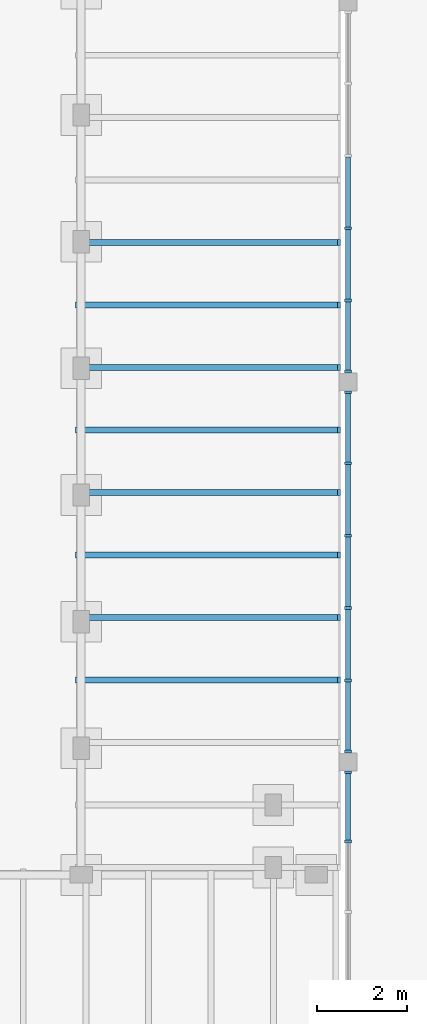
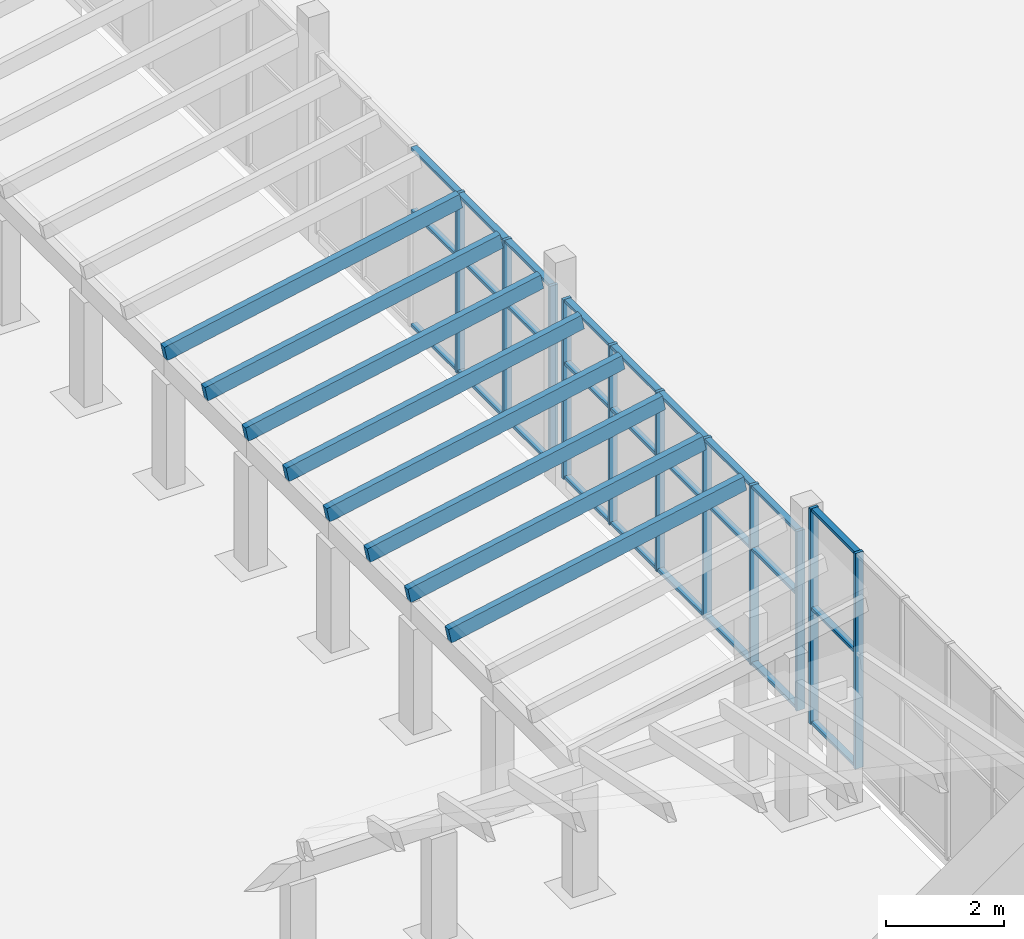
# One storey, part 14 of 60: 46 members, 3 elements without a shape of their own.
"""IFC4 building model written with IfcOpenShell, lengths in metres."""

from ifc_helpers import new_model, si_unit, direction, frame, origin, origin_2d, place, context, subcontext, project, spatial, rectangle, extrude, material, material_profile, profile_set, type_object, element, aggregate, save


model = new_model("IFC4")

# Units and contexts
model_context = context("Model", 3, precision=1e-05, world=origin(), true_north=direction((0.0, 1.0)))
body_context = subcontext(model_context, "Body", "Model", "MODEL_VIEW")
ifc_project = project(units=[si_unit("LENGTHUNIT", "METRE"), si_unit("AREAUNIT", "SQUARE_METRE"), si_unit("VOLUMEUNIT", "CUBIC_METRE"), si_unit("PLANEANGLEUNIT", "RADIAN"), si_unit("MASSUNIT", "GRAM", prefix="KILO")], contexts=[model_context])

# Site, building, storey
site_placement = place(None, origin())
site = spatial("IfcSite", under=ifc_project, at=site_placement, CompositionType="ELEMENT")
building_placement = place(site_placement, origin())
building = spatial("IfcBuilding", under=site, at=building_placement, Name="Fescue Hill Polytechnic", CompositionType="ELEMENT")
storey_placement = place(building_placement, frame((0.0, 0.0, 4.5)))
storey = spatial("IfcBuildingStorey", under=building, at=storey_placement, Name="L01", CompositionType="ELEMENT", Elevation=4.5)

# Curtain wall, members
ifc_material_1 = material(Name="Glass", Category="glass")
curtain_wall_type = type_object("IfcCurtainWallType", Name="Curtain wall structural glazing", PredefinedType="NOTDEFINED", material=ifc_material_1)
curtain_wall_1_placement = place(storey_placement, origin())
curtain_wall_1 = element("IfcCurtainWall", 1, at=curtain_wall_1_placement, inside=storey, type_object=curtain_wall_type, Name="CW-L01-V6-5", PredefinedType="NOTDEFINED")
ifc_material_2 = material(Name="Powder-coated aluminium", Category="aluminium")
ifc_material_profile_1 = material_profile(ifc_material_2, rectangle(XDim=0.159912109375, YDim=0.06005859375, at=origin_2d()), Name="Mullion aluminium 60x160")
ifc_profile_set_1 = profile_set([ifc_material_profile_1], Name="Powder-coated aluminium")
member_type_1 = type_object("IfcMemberType", Name="Mullion aluminium 60x160", PredefinedType="MULLION", material=ifc_profile_set_1)
member_1_placement = place(storey_placement, frame((92.39990234375, 70.60009765625, 0.0), z_axis=(0.0, 0.0, 1.0), x_axis=(1.0, 0.0, 0.0)))
member_1 = element("IfcMember", 2, at=member_1_placement, type_object=member_type_1, Name="CW51 mullion 4", PredefinedType="MULLION", context=body_context, shape_type="SweptSolid", body=[
    extrude(rectangle(XDim=0.159912109375, YDim=0.06005859375, at=origin_2d()), origin(), (0.0, 0.0, 1.0), 3.72998046875),
])
member_2_placement = place(storey_placement, frame((92.39990234375, 69.0, 0.0), z_axis=(0.0, 0.0, 1.0), x_axis=(1.0, 0.0, 0.0)))
member_2 = element("IfcMember", 3, at=member_2_placement, type_object=member_type_1, Name="CW51 mullion 5", PredefinedType="MULLION", context=body_context, shape_type="SweptSolid", body=[
    extrude(rectangle(XDim=0.159912109375, YDim=0.06005859375, at=origin_2d()), origin(), (0.0, 0.0, 1.0), 3.72998046875),
])
member_3_placement = place(storey_placement, frame((92.39990234375, 67.429931640625, 0.0), z_axis=(0.0, 0.0, 1.0), x_axis=(1.0, 0.0, 0.0)))
member_3 = element("IfcMember", 4, at=member_3_placement, type_object=member_type_1, Name="CW51 mullion 6", PredefinedType="MULLION", context=body_context, shape_type="SweptSolid", body=[
    extrude(rectangle(XDim=0.159912109375, YDim=0.06005859375, at=origin_2d()), origin(), (0.0, 0.0, 1.0), 3.72998046875),
])

curtain_wall_2_placement = place(storey_placement, origin())
curtain_wall_2 = element("IfcCurtainWall", 5, at=curtain_wall_2_placement, inside=storey, type_object=curtain_wall_type, Name="CW-L01-V6-6", PredefinedType="NOTDEFINED")
member_4_placement = place(storey_placement, frame((92.39990234375, 66.969970703125, 0.0), z_axis=(0.0, 0.0, 1.0), x_axis=(1.0, 0.0, 0.0)))
member_4 = element("IfcMember", 6, at=member_4_placement, type_object=member_type_1, Name="CW52 mullion 1", PredefinedType="MULLION", context=body_context, shape_type="SweptSolid", body=[
    extrude(rectangle(XDim=0.159912109375, YDim=0.06005859375, at=origin_2d()), origin(), (0.0, 0.0, 1.0), 3.72998046875),
])
member_5_placement = place(storey_placement, frame((92.39990234375, 65.39990234375, 0.0), z_axis=(0.0, 0.0, 1.0), x_axis=(1.0, 0.0, 0.0)))
member_5 = element("IfcMember", 7, at=member_5_placement, type_object=member_type_1, Name="CW52 mullion 2", PredefinedType="MULLION", context=body_context, shape_type="SweptSolid", body=[
    extrude(rectangle(XDim=0.159912109375, YDim=0.06005859375, at=origin_2d()), origin(), (0.0, 0.0, 1.0), 3.72998046875),
])
member_6_placement = place(storey_placement, frame((92.39990234375, 63.800048828125, 0.0), z_axis=(0.0, 0.0, 1.0), x_axis=(1.0, 0.0, 0.0)))
member_6 = element("IfcMember", 8, at=member_6_placement, type_object=member_type_1, Name="CW52 mullion 3", PredefinedType="MULLION", context=body_context, shape_type="SweptSolid", body=[
    extrude(rectangle(XDim=0.159912109375, YDim=0.06005859375, at=origin_2d()), origin(), (0.0, 0.0, 1.0), 3.72998046875),
])
member_7_placement = place(storey_placement, frame((92.39990234375, 62.199951171875, 0.0), z_axis=(0.0, 0.0, 1.0), x_axis=(1.0, 0.0, 0.0)))
member_7 = element("IfcMember", 9, at=member_7_placement, type_object=member_type_1, Name="CW52 mullion 4", PredefinedType="MULLION", context=body_context, shape_type="SweptSolid", body=[
    extrude(rectangle(XDim=0.159912109375, YDim=0.06005859375, at=origin_2d()), origin(), (0.0, 0.0, 1.0), 3.72998046875),
])
member_8_placement = place(storey_placement, frame((92.39990234375, 60.60009765625, 0.0), z_axis=(0.0, 0.0, 1.0), x_axis=(1.0, 0.0, 0.0)))
member_8 = element("IfcMember", 10, at=member_8_placement, type_object=member_type_1, Name="CW52 mullion 5", PredefinedType="MULLION", context=body_context, shape_type="SweptSolid", body=[
    extrude(rectangle(XDim=0.159912109375, YDim=0.06005859375, at=origin_2d()), origin(), (0.0, 0.0, 1.0), 3.72998046875),
])
member_9_placement = place(storey_placement, frame((92.39990234375, 59.030029296875, 0.0), z_axis=(0.0, 0.0, 1.0), x_axis=(1.0, 0.0, 0.0)))
member_9 = element("IfcMember", 11, at=member_9_placement, type_object=member_type_1, Name="CW52 mullion 6", PredefinedType="MULLION", context=body_context, shape_type="SweptSolid", body=[
    extrude(rectangle(XDim=0.159912109375, YDim=0.06005859375, at=origin_2d()), origin(), (0.0, 0.0, 1.0), 3.72998046875),
])

curtain_wall_3_placement = place(storey_placement, origin())
curtain_wall_3 = element("IfcCurtainWall", 12, at=curtain_wall_3_placement, inside=storey, type_object=curtain_wall_type, Name="CW-L01-V6-7", PredefinedType="NOTDEFINED")
member_10_placement = place(storey_placement, frame((92.39990234375, 58.570068359375, 0.0), z_axis=(0.0, 0.0, 1.0), x_axis=(1.0, 0.0, 0.0)))
member_10 = element("IfcMember", 13, at=member_10_placement, type_object=member_type_1, Name="CW53 mullion 1", PredefinedType="MULLION", context=body_context, shape_type="SweptSolid", body=[
    extrude(rectangle(XDim=0.159912109375, YDim=0.06005859375, at=origin_2d()), origin(), (0.0, 0.0, 1.0), 4.47998046875),
])
member_11_placement = place(storey_placement, frame((92.39990234375, 57.0400390625, 0.0), z_axis=(0.0, 0.0, 1.0), x_axis=(1.0, 0.0, 0.0)))
member_11 = element("IfcMember", 14, at=member_11_placement, type_object=member_type_1, Name="CW53 mullion 2", PredefinedType="MULLION", context=body_context, shape_type="SweptSolid", body=[
    extrude(rectangle(XDim=0.159912109375, YDim=0.06005859375, at=origin_2d()), origin(), (0.0, 0.0, 1.0), 4.47998046875),
])

# Member
ifc_material_profile_2 = material_profile(ifc_material_2, rectangle(XDim=0.1201171875, YDim=0.06005859375, at=origin_2d()), Name="Transom aluminium 60x120")
ifc_profile_set_2 = profile_set([ifc_material_profile_2], Name="Powder-coated aluminium")
member_type_2 = type_object("IfcMemberType", Name="Transom aluminium 60x120", PredefinedType="USERDEFINED", material=ifc_profile_set_2)
member_12_placement = place(storey_placement, frame((92.39990234375, 72.169921875, 0.030029296875), z_axis=(0.0, -1.0, 0.0), x_axis=(1.0, 0.0, 0.0)))
member_12 = element("IfcMember", 15, at=member_12_placement, type_object=member_type_2, Name="CW51 transom 3.1", ObjectType="TRANSOM", PredefinedType="USERDEFINED", context=body_context, shape_type="SweptSolid", body=[
    extrude(rectangle(XDim=0.1201171875, YDim=0.06005859375, at=origin_2d()), origin(), (0.0, 0.0, 1.0), 1.5400390625),
])

member_13_placement = place(storey_placement, frame((92.39990234375, 72.169921875, 2.39990234375), z_axis=(0.0, -1.0, 0.0), x_axis=(1.0, 0.0, 0.0)))
member_13 = element("IfcMember", 16, at=member_13_placement, type_object=member_type_2, Name="CW51 transom 3.2", ObjectType="TRANSOM", PredefinedType="USERDEFINED", context=body_context, shape_type="SweptSolid", body=[
    extrude(rectangle(XDim=0.1201171875, YDim=0.06005859375, at=origin_2d()), origin(), (0.0, 0.0, 1.0), 1.5400390625),
])

member_14_placement = place(storey_placement, frame((92.39990234375, 72.169921875, 3.699951171875), z_axis=(0.0, -1.0, 0.0), x_axis=(1.0, 0.0, 0.0)))
member_14 = element("IfcMember", 17, at=member_14_placement, type_object=member_type_2, Name="CW51 transom 3.3", ObjectType="TRANSOM", PredefinedType="USERDEFINED", context=body_context, shape_type="SweptSolid", body=[
    extrude(rectangle(XDim=0.1201171875, YDim=0.06005859375, at=origin_2d()), origin(), (0.0, 0.0, 1.0), 1.5400390625),
])

member_15_placement = place(storey_placement, frame((92.39990234375, 70.570068359375, 0.030029296875), z_axis=(0.0, -1.0, 0.0), x_axis=(1.0, 0.0, 0.0)))
member_15 = element("IfcMember", 18, at=member_15_placement, type_object=member_type_2, Name="CW51 transom 4.1", ObjectType="TRANSOM", PredefinedType="USERDEFINED", context=body_context, shape_type="SweptSolid", body=[
    extrude(rectangle(XDim=0.1201171875, YDim=0.06005859375, at=origin_2d()), origin(), (0.0, 0.0, 1.0), 1.5400390625),
])

member_16_placement = place(storey_placement, frame((92.39990234375, 70.570068359375, 2.39990234375), z_axis=(0.0, -1.0, 0.0), x_axis=(1.0, 0.0, 0.0)))
member_16 = element("IfcMember", 19, at=member_16_placement, type_object=member_type_2, Name="CW51 transom 4.2", ObjectType="TRANSOM", PredefinedType="USERDEFINED", context=body_context, shape_type="SweptSolid", body=[
    extrude(rectangle(XDim=0.1201171875, YDim=0.06005859375, at=origin_2d()), origin(), (0.0, 0.0, 1.0), 1.5400390625),
])

member_17_placement = place(storey_placement, frame((92.39990234375, 70.570068359375, 3.699951171875), z_axis=(0.0, -1.0, 0.0), x_axis=(1.0, 0.0, 0.0)))
member_17 = element("IfcMember", 20, at=member_17_placement, type_object=member_type_2, Name="CW51 transom 4.3", ObjectType="TRANSOM", PredefinedType="USERDEFINED", context=body_context, shape_type="SweptSolid", body=[
    extrude(rectangle(XDim=0.1201171875, YDim=0.06005859375, at=origin_2d()), origin(), (0.0, 0.0, 1.0), 1.5400390625),
])

member_18_placement = place(storey_placement, frame((92.39990234375, 68.969970703125, 0.030029296875), z_axis=(0.0, -1.0, 0.0), x_axis=(1.0, 0.0, 0.0)))
member_18 = element("IfcMember", 21, at=member_18_placement, type_object=member_type_2, Name="CW51 transom 5.1", ObjectType="TRANSOM", PredefinedType="USERDEFINED", context=body_context, shape_type="SweptSolid", body=[
    extrude(rectangle(XDim=0.1201171875, YDim=0.06005859375, at=origin_2d()), origin(), (0.0, 0.0, 1.0), 1.510009765625),
])

member_19_placement = place(storey_placement, frame((92.39990234375, 68.969970703125, 2.39990234375), z_axis=(0.0, -1.0, 0.0), x_axis=(1.0, 0.0, 0.0)))
member_19 = element("IfcMember", 22, at=member_19_placement, type_object=member_type_2, Name="CW51 transom 5.2", ObjectType="TRANSOM", PredefinedType="USERDEFINED", context=body_context, shape_type="SweptSolid", body=[
    extrude(rectangle(XDim=0.1201171875, YDim=0.06005859375, at=origin_2d()), origin(), (0.0, 0.0, 1.0), 1.510009765625),
])

member_20_placement = place(storey_placement, frame((92.39990234375, 68.969970703125, 3.699951171875), z_axis=(0.0, -1.0, 0.0), x_axis=(1.0, 0.0, 0.0)))
member_20 = element("IfcMember", 23, at=member_20_placement, type_object=member_type_2, Name="CW51 transom 5.3", ObjectType="TRANSOM", PredefinedType="USERDEFINED", context=body_context, shape_type="SweptSolid", body=[
    extrude(rectangle(XDim=0.1201171875, YDim=0.06005859375, at=origin_2d()), origin(), (0.0, 0.0, 1.0), 1.510009765625),
])

aggregate(curtain_wall_1, [member_1, member_2, member_3, member_12, member_13, member_14, member_15, member_16, member_17, member_18, member_19, member_20])

member_21_placement = place(storey_placement, frame((92.39990234375, 66.93994140625, 0.030029296875), z_axis=(0.0, -1.0, 0.0), x_axis=(1.0, 0.0, 0.0)))
member_21 = element("IfcMember", 24, at=member_21_placement, type_object=member_type_2, Name="CW52 transom 1.1", ObjectType="TRANSOM", PredefinedType="USERDEFINED", context=body_context, shape_type="SweptSolid", body=[
    extrude(rectangle(XDim=0.1201171875, YDim=0.06005859375, at=origin_2d()), origin(), (0.0, 0.0, 1.0), 1.510009765625),
])

member_22_placement = place(storey_placement, frame((92.39990234375, 66.93994140625, 2.39990234375), z_axis=(0.0, -1.0, 0.0), x_axis=(1.0, 0.0, 0.0)))
member_22 = element("IfcMember", 25, at=member_22_placement, type_object=member_type_2, Name="CW52 transom 1.2", ObjectType="TRANSOM", PredefinedType="USERDEFINED", context=body_context, shape_type="SweptSolid", body=[
    extrude(rectangle(XDim=0.1201171875, YDim=0.06005859375, at=origin_2d()), origin(), (0.0, 0.0, 1.0), 1.510009765625),
])

member_23_placement = place(storey_placement, frame((92.39990234375, 66.93994140625, 3.699951171875), z_axis=(0.0, -1.0, 0.0), x_axis=(1.0, 0.0, 0.0)))
member_23 = element("IfcMember", 26, at=member_23_placement, type_object=member_type_2, Name="CW52 transom 1.3", ObjectType="TRANSOM", PredefinedType="USERDEFINED", context=body_context, shape_type="SweptSolid", body=[
    extrude(rectangle(XDim=0.1201171875, YDim=0.06005859375, at=origin_2d()), origin(), (0.0, 0.0, 1.0), 1.510009765625),
])

member_24_placement = place(storey_placement, frame((92.39990234375, 65.3701171875, 0.030029296875), z_axis=(0.0, -1.0, 0.0), x_axis=(1.0, 0.0, 0.0)))
member_24 = element("IfcMember", 27, at=member_24_placement, type_object=member_type_2, Name="CW52 transom 2.1", ObjectType="TRANSOM", PredefinedType="USERDEFINED", context=body_context, shape_type="SweptSolid", body=[
    extrude(rectangle(XDim=0.1201171875, YDim=0.06005859375, at=origin_2d()), origin(), (0.0, 0.0, 1.0), 1.5400390625),
])

member_25_placement = place(storey_placement, frame((92.39990234375, 65.3701171875, 2.39990234375), z_axis=(0.0, -1.0, 0.0), x_axis=(1.0, 0.0, 0.0)))
member_25 = element("IfcMember", 28, at=member_25_placement, type_object=member_type_2, Name="CW52 transom 2.2", ObjectType="TRANSOM", PredefinedType="USERDEFINED", context=body_context, shape_type="SweptSolid", body=[
    extrude(rectangle(XDim=0.1201171875, YDim=0.06005859375, at=origin_2d()), origin(), (0.0, 0.0, 1.0), 1.5400390625),
])

member_26_placement = place(storey_placement, frame((92.39990234375, 65.3701171875, 3.699951171875), z_axis=(0.0, -1.0, 0.0), x_axis=(1.0, 0.0, 0.0)))
member_26 = element("IfcMember", 29, at=member_26_placement, type_object=member_type_2, Name="CW52 transom 2.3", ObjectType="TRANSOM", PredefinedType="USERDEFINED", context=body_context, shape_type="SweptSolid", body=[
    extrude(rectangle(XDim=0.1201171875, YDim=0.06005859375, at=origin_2d()), origin(), (0.0, 0.0, 1.0), 1.5400390625),
])

member_27_placement = place(storey_placement, frame((92.39990234375, 63.77001953125, 0.030029296875), z_axis=(0.0, -1.0, 0.0), x_axis=(1.0, 0.0, 0.0)))
member_27 = element("IfcMember", 30, at=member_27_placement, type_object=member_type_2, Name="CW52 transom 3.1", ObjectType="TRANSOM", PredefinedType="USERDEFINED", context=body_context, shape_type="SweptSolid", body=[
    extrude(rectangle(XDim=0.1201171875, YDim=0.06005859375, at=origin_2d()), origin(), (0.0, 0.0, 1.0), 1.5400390625),
])

member_28_placement = place(storey_placement, frame((92.39990234375, 63.77001953125, 2.39990234375), z_axis=(0.0, -1.0, 0.0), x_axis=(1.0, 0.0, 0.0)))
member_28 = element("IfcMember", 31, at=member_28_placement, type_object=member_type_2, Name="CW52 transom 3.2", ObjectType="TRANSOM", PredefinedType="USERDEFINED", context=body_context, shape_type="SweptSolid", body=[
    extrude(rectangle(XDim=0.1201171875, YDim=0.06005859375, at=origin_2d()), origin(), (0.0, 0.0, 1.0), 1.5400390625),
])

member_29_placement = place(storey_placement, frame((92.39990234375, 63.77001953125, 3.699951171875), z_axis=(0.0, -1.0, 0.0), x_axis=(1.0, 0.0, 0.0)))
member_29 = element("IfcMember", 32, at=member_29_placement, type_object=member_type_2, Name="CW52 transom 3.3", ObjectType="TRANSOM", PredefinedType="USERDEFINED", context=body_context, shape_type="SweptSolid", body=[
    extrude(rectangle(XDim=0.1201171875, YDim=0.06005859375, at=origin_2d()), origin(), (0.0, 0.0, 1.0), 1.5400390625),
])

member_30_placement = place(storey_placement, frame((92.39990234375, 62.169921875, 0.030029296875), z_axis=(0.0, -1.0, 0.0), x_axis=(1.0, 0.0, 0.0)))
member_30 = element("IfcMember", 33, at=member_30_placement, type_object=member_type_2, Name="CW52 transom 4.1", ObjectType="TRANSOM", PredefinedType="USERDEFINED", context=body_context, shape_type="SweptSolid", body=[
    extrude(rectangle(XDim=0.1201171875, YDim=0.06005859375, at=origin_2d()), origin(), (0.0, 0.0, 1.0), 1.5400390625),
])

member_31_placement = place(storey_placement, frame((92.39990234375, 62.169921875, 2.39990234375), z_axis=(0.0, -1.0, 0.0), x_axis=(1.0, 0.0, 0.0)))
member_31 = element("IfcMember", 34, at=member_31_placement, type_object=member_type_2, Name="CW52 transom 4.2", ObjectType="TRANSOM", PredefinedType="USERDEFINED", context=body_context, shape_type="SweptSolid", body=[
    extrude(rectangle(XDim=0.1201171875, YDim=0.06005859375, at=origin_2d()), origin(), (0.0, 0.0, 1.0), 1.5400390625),
])

member_32_placement = place(storey_placement, frame((92.39990234375, 62.169921875, 3.699951171875), z_axis=(0.0, -1.0, 0.0), x_axis=(1.0, 0.0, 0.0)))
member_32 = element("IfcMember", 35, at=member_32_placement, type_object=member_type_2, Name="CW52 transom 4.3", ObjectType="TRANSOM", PredefinedType="USERDEFINED", context=body_context, shape_type="SweptSolid", body=[
    extrude(rectangle(XDim=0.1201171875, YDim=0.06005859375, at=origin_2d()), origin(), (0.0, 0.0, 1.0), 1.5400390625),
])

member_33_placement = place(storey_placement, frame((92.39990234375, 60.570068359375, 0.030029296875), z_axis=(0.0, -1.0, 0.0), x_axis=(1.0, 0.0, 0.0)))
member_33 = element("IfcMember", 36, at=member_33_placement, type_object=member_type_2, Name="CW52 transom 5.1", ObjectType="TRANSOM", PredefinedType="USERDEFINED", context=body_context, shape_type="SweptSolid", body=[
    extrude(rectangle(XDim=0.1201171875, YDim=0.06005859375, at=origin_2d()), origin(), (0.0, 0.0, 1.0), 1.510009765625),
])

member_34_placement = place(storey_placement, frame((92.39990234375, 60.570068359375, 2.39990234375), z_axis=(0.0, -1.0, 0.0), x_axis=(1.0, 0.0, 0.0)))
member_34 = element("IfcMember", 37, at=member_34_placement, type_object=member_type_2, Name="CW52 transom 5.2", ObjectType="TRANSOM", PredefinedType="USERDEFINED", context=body_context, shape_type="SweptSolid", body=[
    extrude(rectangle(XDim=0.1201171875, YDim=0.06005859375, at=origin_2d()), origin(), (0.0, 0.0, 1.0), 1.510009765625),
])

member_35_placement = place(storey_placement, frame((92.39990234375, 60.570068359375, 3.699951171875), z_axis=(0.0, -1.0, 0.0), x_axis=(1.0, 0.0, 0.0)))
member_35 = element("IfcMember", 38, at=member_35_placement, type_object=member_type_2, Name="CW52 transom 5.3", ObjectType="TRANSOM", PredefinedType="USERDEFINED", context=body_context, shape_type="SweptSolid", body=[
    extrude(rectangle(XDim=0.1201171875, YDim=0.06005859375, at=origin_2d()), origin(), (0.0, 0.0, 1.0), 1.510009765625),
])

aggregate(curtain_wall_2, [member_4, member_5, member_6, member_7, member_8, member_9, member_21, member_22, member_23, member_24, member_25, member_26, member_27, member_28, member_29, member_30, member_31, member_32, member_33, member_34, member_35])

member_36_placement = place(storey_placement, frame((92.39990234375, 58.5400390625, 0.030029296875), z_axis=(0.0, -1.0, 0.0), x_axis=(1.0, 0.0, 0.0)))
member_36 = element("IfcMember", 39, at=member_36_placement, type_object=member_type_2, Name="CW53 transom 1.1", ObjectType="TRANSOM", PredefinedType="USERDEFINED", context=body_context, shape_type="SweptSolid", body=[
    extrude(rectangle(XDim=0.1201171875, YDim=0.06005859375, at=origin_2d()), origin(), (0.0, 0.0, 1.0), 1.469970703125),
])

member_37_placement = place(storey_placement, frame((92.39990234375, 58.5400390625, 2.39990234375), z_axis=(0.0, -1.0, 0.0), x_axis=(1.0, 0.0, 0.0)))
member_37 = element("IfcMember", 40, at=member_37_placement, type_object=member_type_2, Name="CW53 transom 1.2", ObjectType="TRANSOM", PredefinedType="USERDEFINED", context=body_context, shape_type="SweptSolid", body=[
    extrude(rectangle(XDim=0.1201171875, YDim=0.06005859375, at=origin_2d()), origin(), (0.0, 0.0, 1.0), 1.469970703125),
])

member_38_placement = place(storey_placement, frame((92.39990234375, 58.5400390625, 4.449951171875), z_axis=(0.0, -1.0, 0.0), x_axis=(1.0, 0.0, 0.0)))
member_38 = element("IfcMember", 41, at=member_38_placement, type_object=member_type_2, Name="CW53 transom 1.3", ObjectType="TRANSOM", PredefinedType="USERDEFINED", context=body_context, shape_type="SweptSolid", body=[
    extrude(rectangle(XDim=0.1201171875, YDim=0.06005859375, at=origin_2d()), origin(), (0.0, 0.0, 1.0), 1.469970703125),
])

aggregate(curtain_wall_3, [member_10, member_11, member_36, member_37, member_38])

# Members
ifc_material_3 = material(Name="Glulam 24f-EX", Category="wood")
ifc_material_profile_3 = material_profile(ifc_material_3, rectangle(XDim=0.1298828125, YDim=0.303955078125, at=origin_2d()), Name="Veranda rafter 130x304")
ifc_profile_set_3 = profile_set([ifc_material_profile_3], Name="Glulam 24f-EX")
member_type_3 = type_object("IfcMemberType", Name="Veranda rafter 130x304", PredefinedType="RAFTER", material=ifc_profile_set_3)
for number, where, z_axis, x_axis, name in (
    (42, (92.199951171875, 60.609375, 3.841064453125), (-0.980908023903, 0.0, -0.19447223103), (0.0, -1.0, 0.0), "Winter garden veranda rafter"),
    (43, (92.199951171875, 61.99072265625, 3.841064453125), (-0.980908023903, 0.0, -0.19447223103), (0.0, -1.0, 0.0), "Winter garden veranda rafter"),
    (44, (92.199951171875, 63.372314453125, 3.841064453125), (-0.980908023903, 0.0, -0.19447223103), (0.0, -1.0, 0.0), "Winter garden veranda rafter"),
    (45, (92.199951171875, 64.753662109375, 3.841064453125), (-0.980908023903, 0.0, -0.19447223103), (0.0, -1.0, 0.0), "Winter garden veranda rafter"),
    (46, (92.199951171875, 66.135009765625, 3.841064453125), (-0.980908023903, 0.0, -0.19447223103), (0.0, -1.0, 0.0), "Winter garden veranda rafter"),
    (47, (92.199951171875, 67.5166015625, 3.841064453125), (-0.980908023903, 0.0, -0.19447223103), (0.0, -1.0, 0.0), "Winter garden veranda rafter"),
    (48, (92.199951171875, 68.89794921875, 3.841064453125), (-0.980908023903, 0.0, -0.19447223103), (0.0, -1.0, 0.0), "Winter garden veranda rafter"),
    (49, (92.199951171875, 70.279541015625, 3.841064453125), (-0.980908023903, 0.0, -0.19447223103), (0.0, -1.0, 0.0), "Winter garden veranda rafter"),
):
    element("IfcMember", number, at=place(storey_placement, frame(where, z_axis=z_axis, x_axis=x_axis)), inside=storey, type_object=member_type_3, Name=name, PredefinedType="RAFTER", context=body_context, shape_type="SweptSolid", body=[
        extrude(rectangle(XDim=0.1298828125, YDim=0.303955078125, at=origin_2d()), origin(), (0.0, 0.0, 1.0), 5.912841796875),
    ])

save(model, "model.ifc")
